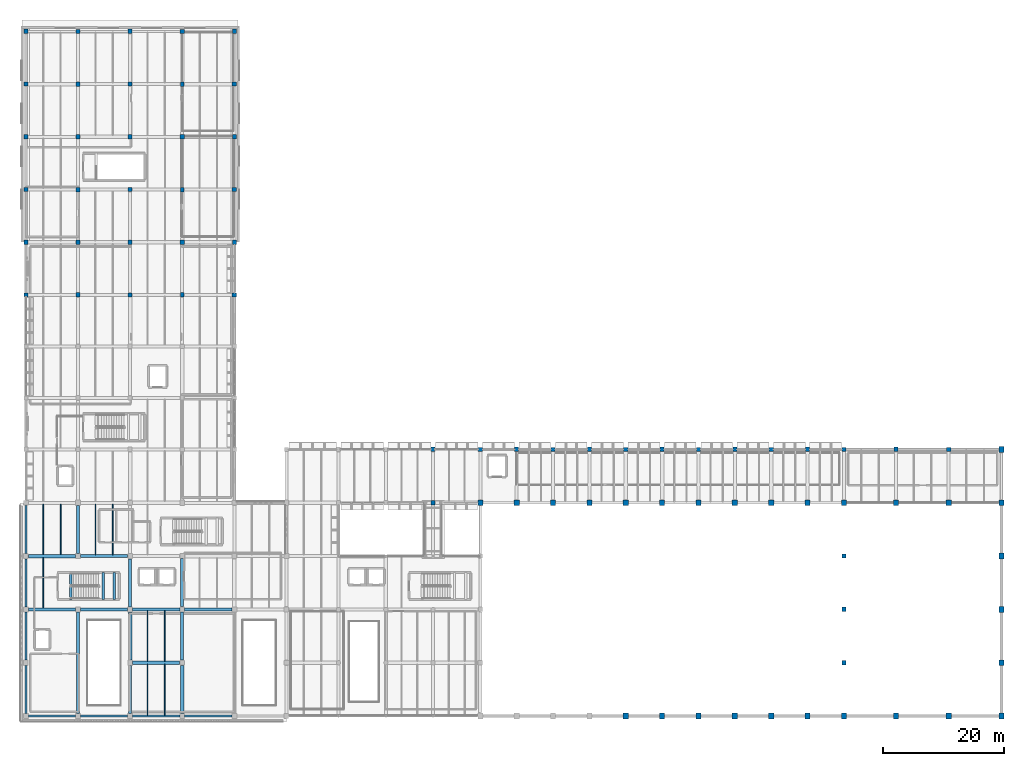
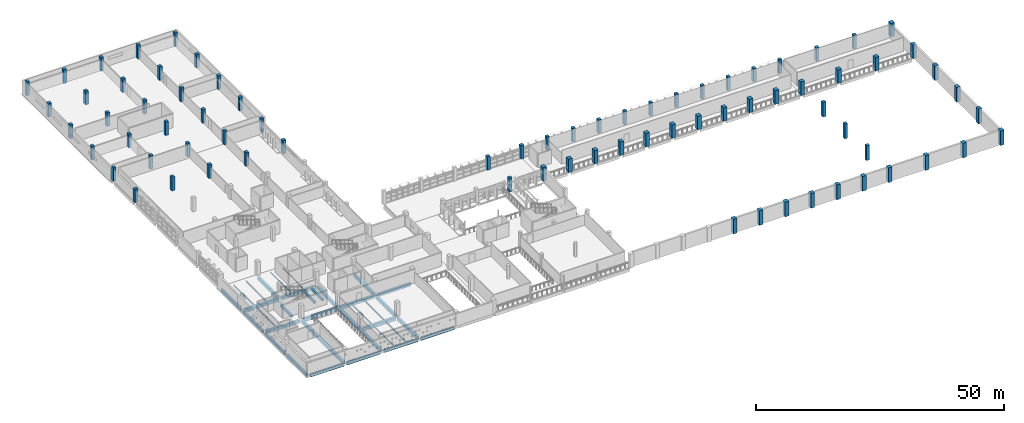
# One storey, part 7 of 75: 76 columns, 35 beams.
"""IFC4 building model written with IfcOpenShell, lengths in metres."""

from ifc_helpers import new_model, si_unit, direction, frame, origin, origin_2d, place, context, subcontext, project, spatial, rectangle, i_section, extrude, material, material_profile, profile_set, type_object, element, save


model = new_model("IFC4")

# Units and contexts
model_context = context("Model", 3, precision=1e-05, world=origin(), true_north=direction((0.0, 1.0)))
body_context = subcontext(model_context, "Body", "Model", "MODEL_VIEW")
ifc_project = project(units=[si_unit("LENGTHUNIT", "METRE"), si_unit("AREAUNIT", "SQUARE_METRE"), si_unit("VOLUMEUNIT", "CUBIC_METRE"), si_unit("PLANEANGLEUNIT", "RADIAN"), si_unit("MASSUNIT", "GRAM", prefix="KILO")], contexts=[model_context])

# Site, building, storey
site_placement = place(None, origin())
site = spatial("IfcSite", under=ifc_project, at=site_placement, CompositionType="ELEMENT")
building_placement = place(site_placement, origin())
building = spatial("IfcBuilding", under=site, at=building_placement, Name="Varnakota Cinema and Media Centre", CompositionType="ELEMENT")
storey_placement = place(building_placement, frame((0.0, 0.0, 8.39990234375)))
storey = spatial("IfcBuildingStorey", under=building, at=storey_placement, Name="L02", CompositionType="ELEMENT", Elevation=8.39990234375)

# Columns
ifc_material_1 = material(Name="Concrete M40", Category="concrete")
ifc_material_profile_1 = material_profile(ifc_material_1, rectangle(XDim=0.64990234375, YDim=0.75, at=origin_2d()), Name="RC 650x750")
ifc_profile_set_1 = profile_set([ifc_material_profile_1], Name="Concrete M40")
column_type_1 = type_object("IfcColumnType", Name="COL-RC-650x750", PredefinedType="COLUMN", material=ifc_profile_set_1)
for number, where, z_axis, x_axis, name in (
    (1, (0.0, 78.199951171875, 0.0), (0.0, 0.0, 1.0), (1.0, 0.0, 0.0), "L02 column A/10"),
    (2, (0.0, 95.60009765625, 0.0), (0.0, 0.0, 1.0), (1.0, 0.0, 0.0), "L02 column A/12"),
    (3, (0.0, 113.0, 0.0), (0.0, 0.0, 1.0), (1.0, 0.0, 0.0), "L02 column A/14"),
    (4, (8.60009765625, 69.5, 0.0), (0.0, 0.0, 1.0), (1.0, 0.0, 0.0), "L02 column B/9"),
    (5, (8.60009765625, 86.89990234375, 0.0), (0.0, 0.0, 1.0), (1.0, 0.0, 0.0), "L02 column B/11"),
    (6, (8.60009765625, 104.300048828125, 0.0), (0.0, 0.0, 1.0), (1.0, 0.0, 0.0), "L02 column B/13"),
    (7, (17.199951171875, 78.199951171875, 0.0), (0.0, 0.0, 1.0), (1.0, 0.0, 0.0), "L02 column C/10"),
    (8, (17.199951171875, 95.60009765625, 0.0), (0.0, 0.0, 1.0), (1.0, 0.0, 0.0), "L02 column C/12"),
    (9, (17.199951171875, 113.0, 0.0), (0.0, 0.0, 1.0), (1.0, 0.0, 0.0), "L02 column C/14"),
    (10, (25.800048828125, 69.5, 0.0), (0.0, 0.0, 1.0), (1.0, 0.0, 0.0), "L02 column D/9"),
    (11, (25.800048828125, 86.89990234375, 0.0), (0.0, 0.0, 1.0), (1.0, 0.0, 0.0), "L02 column D/11"),
    (12, (25.800048828125, 104.300048828125, 0.0), (0.0, 0.0, 1.0), (1.0, 0.0, 0.0), "L02 column D/13"),
    (13, (34.39990234375, 78.199951171875, 0.0), (0.0, 0.0, 1.0), (1.0, 0.0, 0.0), "L02 column E/10"),
    (14, (34.39990234375, 95.60009765625, 0.0), (0.0, 0.0, 1.0), (1.0, 0.0, 0.0), "L02 column E/12"),
    (15, (34.39990234375, 113.0, 0.0), (0.0, 0.0, 1.0), (1.0, 0.0, 0.0), "L02 column E/14"),
    (16, (67.199951171875, 44.0, 0.0), (0.0, 0.0, 1.0), (1.0, 0.0, 0.0), "L02 column J/6"),
    (17, (81.0, 44.0, 0.0), (0.0, 0.0, 1.0), (1.0, 0.0, 0.0), "L02 column L/6"),
    (18, (93.0, 44.0, 0.0), (0.0, 0.0, 1.0), (1.0, 0.0, 0.0), "L02 column N/6"),
    (19, (105.0, 44.0, 0.0), (0.0, 0.0, 1.0), (1.0, 0.0, 0.0), "L02 column Q/6"),
    (20, (117.0, 44.0, 0.0), (0.0, 0.0, 1.0), (1.0, 0.0, 0.0), "L02 column S/6"),
    (21, (129.0, 44.0, 0.0), (0.0, 0.0, 1.0), (1.0, 0.0, 0.0), "L02 column U/6"),
):
    element("IfcColumn", number, at=place(storey_placement, frame(where, z_axis=z_axis, x_axis=x_axis)), inside=storey, type_object=column_type_1, Name=name, PredefinedType="COLUMN", context=body_context, shape_type="SweptSolid", body=[
        extrude(rectangle(XDim=0.64990234375, YDim=0.75, at=origin_2d()), origin(), (0.0, 0.0, 1.0), 3.340087890625),
    ])
column_1_placement = place(storey_placement, frame((135.0, 17.60009765625, 0.0), z_axis=(0.0, 0.0, 1.0), x_axis=(1.0, 0.0, 0.0)))
element("IfcColumn", 22, at=column_1_placement, inside=storey, type_object=column_type_1, Name="L02 column V/3", PredefinedType="COLUMN", context=body_context, shape_type="SweptSolid", body=[
    extrude(rectangle(XDim=0.64990234375, YDim=0.75, at=origin_2d()), origin(), (0.0, 0.0, 1.0), 3.60009765625),
])
column_2_placement = place(storey_placement, frame((143.60009765625, 44.0, 0.0), z_axis=(0.0, 0.0, 1.0), x_axis=(1.0, 0.0, 0.0)))
element("IfcColumn", 23, at=column_2_placement, inside=storey, type_object=column_type_1, Name="L02 column W/6", PredefinedType="COLUMN", context=body_context, shape_type="SweptSolid", body=[
    extrude(rectangle(XDim=0.64990234375, YDim=0.75, at=origin_2d()), origin(), (0.0, 0.0, 1.0), 3.340087890625),
])
ifc_material_2 = material(Name="Concrete M40", Category="concrete")
ifc_material_profile_2 = material_profile(ifc_material_2, rectangle(XDim=0.699951171875, YDim=0.699951171875, at=origin_2d()), Name="RC 700x700")
ifc_profile_set_2 = profile_set([ifc_material_profile_2], Name="Concrete M40")
column_type_2 = type_object("IfcColumnType", Name="COL-RC-700x700", PredefinedType="COLUMN", material=ifc_profile_set_2)
for number, where, z_axis, x_axis, name in (
    (24, (0.0, 69.5, 0.0), (0.0, 0.0, 1.0), (1.0, 0.0, 0.0), "L02 column A/9"),
    (25, (0.0, 86.89990234375, 0.0), (0.0, 0.0, 1.0), (1.0, 0.0, 0.0), "L02 column A/11"),
    (26, (0.0, 104.300048828125, 0.0), (0.0, 0.0, 1.0), (1.0, 0.0, 0.0), "L02 column A/13"),
    (27, (8.60009765625, 78.199951171875, 0.0), (0.0, 0.0, 1.0), (1.0, 0.0, 0.0), "L02 column B/10"),
    (28, (8.60009765625, 95.60009765625, 0.0), (0.0, 0.0, 1.0), (1.0, 0.0, 0.0), "L02 column B/12"),
    (29, (8.60009765625, 113.0, 0.0), (0.0, 0.0, 1.0), (1.0, 0.0, 0.0), "L02 column B/14"),
    (30, (17.199951171875, 69.5, 0.0), (0.0, 0.0, 1.0), (1.0, 0.0, 0.0), "L02 column C/9"),
    (31, (17.199951171875, 86.89990234375, 0.0), (0.0, 0.0, 1.0), (1.0, 0.0, 0.0), "L02 column C/11"),
    (32, (17.199951171875, 104.300048828125, 0.0), (0.0, 0.0, 1.0), (1.0, 0.0, 0.0), "L02 column C/13"),
    (33, (25.800048828125, 78.199951171875, 0.0), (0.0, 0.0, 1.0), (1.0, 0.0, 0.0), "L02 column D/10"),
    (34, (25.800048828125, 95.60009765625, 0.0), (0.0, 0.0, 1.0), (1.0, 0.0, 0.0), "L02 column D/12"),
    (35, (25.800048828125, 113.0, 0.0), (0.0, 0.0, 1.0), (1.0, 0.0, 0.0), "L02 column D/14"),
    (36, (34.39990234375, 69.5, 0.0), (0.0, 0.0, 1.0), (1.0, 0.0, 0.0), "L02 column E/9"),
    (37, (34.39990234375, 86.89990234375, 0.0), (0.0, 0.0, 1.0), (1.0, 0.0, 0.0), "L02 column E/11"),
    (38, (34.39990234375, 104.300048828125, 0.0), (0.0, 0.0, 1.0), (1.0, 0.0, 0.0), "L02 column E/13"),
    (39, (67.199951171875, 35.199951171875, 0.0), (0.0, 0.0, 1.0), (1.0, 0.0, 0.0), "L02 column J/5"),
    (40, (75.0, 44.0, 0.0), (0.0, 0.0, 1.0), (1.0, 0.0, 0.0), "L02 column K/6"),
    (41, (87.0, 44.0, 0.0), (0.0, 0.0, 1.0), (1.0, 0.0, 0.0), "L02 column M/6"),
    (42, (99.0, 44.0, 0.0), (0.0, 0.0, 1.0), (1.0, 0.0, 0.0), "L02 column P/6"),
    (43, (111.0, 44.0, 0.0), (0.0, 0.0, 1.0), (1.0, 0.0, 0.0), "L02 column R/6"),
    (44, (123.0, 44.0, 0.0), (0.0, 0.0, 1.0), (1.0, 0.0, 0.0), "L02 column T/6"),
):
    element("IfcColumn", number, at=place(storey_placement, frame(where, z_axis=z_axis, x_axis=x_axis)), inside=storey, type_object=column_type_2, Name=name, PredefinedType="COLUMN", context=body_context, shape_type="SweptSolid", body=[
        extrude(rectangle(XDim=0.699951171875, YDim=0.699951171875, at=origin_2d()), origin(), (0.0, 0.0, 1.0), 3.340087890625),
    ])
for number, where, z_axis, x_axis, name in (
    (45, (135.0, 8.800048828125, 0.0), (0.0, 0.0, 1.0), (1.0, 0.0, 0.0), "L02 column V/2"),
    (46, (135.0, 26.39990234375, 0.0), (0.0, 0.0, 1.0), (1.0, 0.0, 0.0), "L02 column V/4"),
):
    element("IfcColumn", number, at=place(storey_placement, frame(where, z_axis=z_axis, x_axis=x_axis)), inside=storey, type_object=column_type_2, Name=name, PredefinedType="COLUMN", context=body_context, shape_type="SweptSolid", body=[
        extrude(rectangle(XDim=0.699951171875, YDim=0.699951171875, at=origin_2d()), origin(), (0.0, 0.0, 1.0), 3.60009765625),
    ])
for number, where, z_axis, x_axis, name in (
    (47, (135.0, 44.0, 0.0), (0.0, 0.0, 1.0), (1.0, 0.0, 0.0), "L02 column V/6"),
    (48, (152.300048828125, 44.0, 0.0), (0.0, 0.0, 1.0), (1.0, 0.0, 0.0), "L02 column X/6"),
):
    element("IfcColumn", number, at=place(storey_placement, frame(where, z_axis=z_axis, x_axis=x_axis)), inside=storey, type_object=column_type_2, Name=name, PredefinedType="COLUMN", context=body_context, shape_type="SweptSolid", body=[
        extrude(rectangle(XDim=0.699951171875, YDim=0.699951171875, at=origin_2d()), origin(), (0.0, 0.0, 1.0), 3.340087890625),
    ])
ifc_material_3 = material(Name="Concrete M50", Category="concrete")
ifc_material_profile_3 = material_profile(ifc_material_3, rectangle(XDim=0.85009765625, YDim=0.949951171875, at=origin_2d()), Name="RC 850x950")
ifc_profile_set_3 = profile_set([ifc_material_profile_3], Name="Concrete M50")
column_type_3 = type_object("IfcColumnType", Name="COL-RC-850x950", PredefinedType="COLUMN", material=ifc_profile_set_3)
for number, where, z_axis, x_axis, name in (
    (49, (75.0, 35.199951171875, 0.0), (0.0, 0.0, 1.0), (1.0, 0.0, 0.0), "L02 column K/5"),
    (50, (81.0, 35.199951171875, 0.0), (0.0, 0.0, 1.0), (1.0, 0.0, 0.0), "L02 column L/5"),
    (51, (87.0, 35.199951171875, 0.0), (0.0, 0.0, 1.0), (1.0, 0.0, 0.0), "L02 column M/5"),
    (52, (93.0, 35.199951171875, 0.0), (0.0, 0.0, 1.0), (1.0, 0.0, 0.0), "L02 column N/5"),
):
    element("IfcColumn", number, at=place(storey_placement, frame(where, z_axis=z_axis, x_axis=x_axis)), inside=storey, type_object=column_type_3, Name=name, PredefinedType="COLUMN", context=body_context, shape_type="SweptSolid", body=[
        extrude(rectangle(XDim=0.85009765625, YDim=0.949951171875, at=origin_2d()), origin(), (0.0, 0.0, 1.0), 3.340087890625),
    ])
column_3_placement = place(storey_placement, frame((99.0, 0.0, 0.0), z_axis=(0.0, 0.0, 1.0), x_axis=(1.0, 0.0, 0.0)))
element("IfcColumn", 53, at=column_3_placement, inside=storey, type_object=column_type_3, Name="L02 column P/1", PredefinedType="COLUMN", context=body_context, shape_type="SweptSolid", body=[
    extrude(rectangle(XDim=0.85009765625, YDim=0.949951171875, at=origin_2d()), origin(), (0.0, 0.0, 1.0), 3.60009765625),
])
column_4_placement = place(storey_placement, frame((99.0, 35.199951171875, 0.0), z_axis=(0.0, 0.0, 1.0), x_axis=(1.0, 0.0, 0.0)))
element("IfcColumn", 54, at=column_4_placement, inside=storey, type_object=column_type_3, Name="L02 column P/5", PredefinedType="COLUMN", context=body_context, shape_type="SweptSolid", body=[
    extrude(rectangle(XDim=0.85009765625, YDim=0.949951171875, at=origin_2d()), origin(), (0.0, 0.0, 1.0), 3.340087890625),
])
column_5_placement = place(storey_placement, frame((105.0, 0.0, 0.0), z_axis=(0.0, 0.0, 1.0), x_axis=(1.0, 0.0, 0.0)))
element("IfcColumn", 55, at=column_5_placement, inside=storey, type_object=column_type_3, Name="L02 column Q/1", PredefinedType="COLUMN", context=body_context, shape_type="SweptSolid", body=[
    extrude(rectangle(XDim=0.85009765625, YDim=0.949951171875, at=origin_2d()), origin(), (0.0, 0.0, 1.0), 3.60009765625),
])
column_6_placement = place(storey_placement, frame((105.0, 35.199951171875, 0.0), z_axis=(0.0, 0.0, 1.0), x_axis=(1.0, 0.0, 0.0)))
element("IfcColumn", 56, at=column_6_placement, inside=storey, type_object=column_type_3, Name="L02 column Q/5", PredefinedType="COLUMN", context=body_context, shape_type="SweptSolid", body=[
    extrude(rectangle(XDim=0.85009765625, YDim=0.949951171875, at=origin_2d()), origin(), (0.0, 0.0, 1.0), 3.340087890625),
])
column_7_placement = place(storey_placement, frame((111.0, 0.0, 0.0), z_axis=(0.0, 0.0, 1.0), x_axis=(1.0, 0.0, 0.0)))
element("IfcColumn", 57, at=column_7_placement, inside=storey, type_object=column_type_3, Name="L02 column R/1", PredefinedType="COLUMN", context=body_context, shape_type="SweptSolid", body=[
    extrude(rectangle(XDim=0.85009765625, YDim=0.949951171875, at=origin_2d()), origin(), (0.0, 0.0, 1.0), 3.60009765625),
])
column_8_placement = place(storey_placement, frame((111.0, 35.199951171875, 0.0), z_axis=(0.0, 0.0, 1.0), x_axis=(1.0, 0.0, 0.0)))
element("IfcColumn", 58, at=column_8_placement, inside=storey, type_object=column_type_3, Name="L02 column R/5", PredefinedType="COLUMN", context=body_context, shape_type="SweptSolid", body=[
    extrude(rectangle(XDim=0.85009765625, YDim=0.949951171875, at=origin_2d()), origin(), (0.0, 0.0, 1.0), 3.340087890625),
])
column_9_placement = place(storey_placement, frame((117.0, 0.0, 0.0), z_axis=(0.0, 0.0, 1.0), x_axis=(1.0, 0.0, 0.0)))
element("IfcColumn", 59, at=column_9_placement, inside=storey, type_object=column_type_3, Name="L02 column S/1", PredefinedType="COLUMN", context=body_context, shape_type="SweptSolid", body=[
    extrude(rectangle(XDim=0.85009765625, YDim=0.949951171875, at=origin_2d()), origin(), (0.0, 0.0, 1.0), 3.60009765625),
])
column_10_placement = place(storey_placement, frame((117.0, 35.199951171875, 0.0), z_axis=(0.0, 0.0, 1.0), x_axis=(1.0, 0.0, 0.0)))
element("IfcColumn", 60, at=column_10_placement, inside=storey, type_object=column_type_3, Name="L02 column S/5", PredefinedType="COLUMN", context=body_context, shape_type="SweptSolid", body=[
    extrude(rectangle(XDim=0.85009765625, YDim=0.949951171875, at=origin_2d()), origin(), (0.0, 0.0, 1.0), 3.340087890625),
])
column_11_placement = place(storey_placement, frame((123.0, 0.0, 0.0), z_axis=(0.0, 0.0, 1.0), x_axis=(1.0, 0.0, 0.0)))
element("IfcColumn", 61, at=column_11_placement, inside=storey, type_object=column_type_3, Name="L02 column T/1", PredefinedType="COLUMN", context=body_context, shape_type="SweptSolid", body=[
    extrude(rectangle(XDim=0.85009765625, YDim=0.949951171875, at=origin_2d()), origin(), (0.0, 0.0, 1.0), 3.60009765625),
])
column_12_placement = place(storey_placement, frame((123.0, 35.199951171875, 0.0), z_axis=(0.0, 0.0, 1.0), x_axis=(1.0, 0.0, 0.0)))
element("IfcColumn", 62, at=column_12_placement, inside=storey, type_object=column_type_3, Name="L02 column T/5", PredefinedType="COLUMN", context=body_context, shape_type="SweptSolid", body=[
    extrude(rectangle(XDim=0.85009765625, YDim=0.949951171875, at=origin_2d()), origin(), (0.0, 0.0, 1.0), 3.340087890625),
])
column_13_placement = place(storey_placement, frame((129.0, 0.0, 0.0), z_axis=(0.0, 0.0, 1.0), x_axis=(1.0, 0.0, 0.0)))
element("IfcColumn", 63, at=column_13_placement, inside=storey, type_object=column_type_3, Name="L02 column U/1", PredefinedType="COLUMN", context=body_context, shape_type="SweptSolid", body=[
    extrude(rectangle(XDim=0.85009765625, YDim=0.949951171875, at=origin_2d()), origin(), (0.0, 0.0, 1.0), 3.60009765625),
])
column_14_placement = place(storey_placement, frame((129.0, 35.199951171875, 0.0), z_axis=(0.0, 0.0, 1.0), x_axis=(1.0, 0.0, 0.0)))
element("IfcColumn", 64, at=column_14_placement, inside=storey, type_object=column_type_3, Name="L02 column U/5", PredefinedType="COLUMN", context=body_context, shape_type="SweptSolid", body=[
    extrude(rectangle(XDim=0.85009765625, YDim=0.949951171875, at=origin_2d()), origin(), (0.0, 0.0, 1.0), 3.340087890625),
])
column_15_placement = place(storey_placement, frame((135.0, 0.0, 0.0), z_axis=(0.0, 0.0, 1.0), x_axis=(1.0, 0.0, 0.0)))
element("IfcColumn", 65, at=column_15_placement, inside=storey, type_object=column_type_3, Name="L02 column V/1", PredefinedType="COLUMN", context=body_context, shape_type="SweptSolid", body=[
    extrude(rectangle(XDim=0.85009765625, YDim=0.949951171875, at=origin_2d()), origin(), (0.0, 0.0, 1.0), 3.60009765625),
])
column_16_placement = place(storey_placement, frame((135.0, 35.199951171875, 0.0), z_axis=(0.0, 0.0, 1.0), x_axis=(1.0, 0.0, 0.0)))
element("IfcColumn", 66, at=column_16_placement, inside=storey, type_object=column_type_3, Name="L02 column V/5", PredefinedType="COLUMN", context=body_context, shape_type="SweptSolid", body=[
    extrude(rectangle(XDim=0.85009765625, YDim=0.949951171875, at=origin_2d()), origin(), (0.0, 0.0, 1.0), 3.340087890625),
])
column_17_placement = place(storey_placement, frame((143.60009765625, 0.0, 0.0), z_axis=(0.0, 0.0, 1.0), x_axis=(1.0, 0.0, 0.0)))
element("IfcColumn", 67, at=column_17_placement, inside=storey, type_object=column_type_3, Name="L02 column W/1", PredefinedType="COLUMN", context=body_context, shape_type="SweptSolid", body=[
    extrude(rectangle(XDim=0.85009765625, YDim=0.949951171875, at=origin_2d()), origin(), (0.0, 0.0, 1.0), 3.60009765625),
])
column_18_placement = place(storey_placement, frame((143.60009765625, 35.199951171875, 0.0), z_axis=(0.0, 0.0, 1.0), x_axis=(1.0, 0.0, 0.0)))
element("IfcColumn", 68, at=column_18_placement, inside=storey, type_object=column_type_3, Name="L02 column W/5", PredefinedType="COLUMN", context=body_context, shape_type="SweptSolid", body=[
    extrude(rectangle(XDim=0.85009765625, YDim=0.949951171875, at=origin_2d()), origin(), (0.0, 0.0, 1.0), 3.340087890625),
])
column_19_placement = place(storey_placement, frame((152.300048828125, 0.0, 0.0), z_axis=(0.0, 0.0, 1.0), x_axis=(1.0, 0.0, 0.0)))
element("IfcColumn", 69, at=column_19_placement, inside=storey, type_object=column_type_3, Name="L02 column X/1", PredefinedType="COLUMN", context=body_context, shape_type="SweptSolid", body=[
    extrude(rectangle(XDim=0.85009765625, YDim=0.949951171875, at=origin_2d()), origin(), (0.0, 0.0, 1.0), 3.60009765625),
])
column_20_placement = place(storey_placement, frame((152.300048828125, 35.199951171875, 0.0), z_axis=(0.0, 0.0, 1.0), x_axis=(1.0, 0.0, 0.0)))
element("IfcColumn", 70, at=column_20_placement, inside=storey, type_object=column_type_3, Name="L02 column X/5", PredefinedType="COLUMN", context=body_context, shape_type="SweptSolid", body=[
    extrude(rectangle(XDim=0.85009765625, YDim=0.949951171875, at=origin_2d()), origin(), (0.0, 0.0, 1.0), 3.340087890625),
])
for number, where, z_axis, x_axis, name in (
    (71, (161.0, 0.0, 0.0), (0.0, 0.0, 1.0), (1.0, 0.0, 0.0), "L02 column Y/1"),
    (72, (161.0, 8.800048828125, 0.0), (0.0, 0.0, 1.0), (1.0, 0.0, 0.0), "L02 column Y/2"),
    (73, (161.0, 17.60009765625, 0.0), (0.0, 0.0, 1.0), (1.0, 0.0, 0.0), "L02 column Y/3"),
    (74, (161.0, 26.39990234375, 0.0), (0.0, 0.0, 1.0), (1.0, 0.0, 0.0), "L02 column Y/4"),
):
    element("IfcColumn", number, at=place(storey_placement, frame(where, z_axis=z_axis, x_axis=x_axis)), inside=storey, type_object=column_type_3, Name=name, PredefinedType="COLUMN", context=body_context, shape_type="SweptSolid", body=[
        extrude(rectangle(XDim=0.85009765625, YDim=0.949951171875, at=origin_2d()), origin(), (0.0, 0.0, 1.0), 3.60009765625),
    ])
for number, where, z_axis, x_axis, name in (
    (75, (161.0, 35.199951171875, 0.0), (0.0, 0.0, 1.0), (1.0, 0.0, 0.0), "L02 column Y/5"),
    (76, (161.0, 44.0, 0.0), (0.0, 0.0, 1.0), (1.0, 0.0, 0.0), "L02 column Y/6"),
):
    element("IfcColumn", number, at=place(storey_placement, frame(where, z_axis=z_axis, x_axis=x_axis)), inside=storey, type_object=column_type_3, Name=name, PredefinedType="COLUMN", context=body_context, shape_type="SweptSolid", body=[
        extrude(rectangle(XDim=0.85009765625, YDim=0.949951171875, at=origin_2d()), origin(), (0.0, 0.0, 1.0), 3.340087890625),
    ])

# Beams
ifc_material_4 = material(Name="Concrete M35", Category="concrete")
ifc_material_profile_4 = material_profile(ifc_material_4, rectangle(XDim=0.39990234375, YDim=0.550048828125, at=origin_2d()), Name="RCB 400x550")
ifc_profile_set_4 = profile_set([ifc_material_profile_4], Name="Concrete M35")
beam_type_1 = type_object("IfcBeamType", Name="BM-RC-400x550", PredefinedType="BEAM", material=ifc_profile_set_4)
for number, where, z_axis, x_axis, name in (
    (77, (12.7373046875, 19.25, 1.3251953125), (0.0, 1.0, 0.0), (-1.0, 0.0, 0.0), "L02 ST-01 landing support beam 1"),
    (78, (14.562744140625, 19.25, 1.3251953125), (0.0, 1.0, 0.0), (-1.0, 0.0, 0.0), "L02 ST-01 landing support beam 2"),
):
    element("IfcBeam", number, at=place(storey_placement, frame(where, z_axis=z_axis, x_axis=x_axis)), inside=storey, type_object=beam_type_1, Name=name, PredefinedType="BEAM", context=body_context, shape_type="SweptSolid", body=[
        extrude(rectangle(XDim=0.39990234375, YDim=0.550048828125, at=origin_2d()), origin(), (0.0, 0.0, 1.0), 4.449951171875),
    ])
ifc_material_5 = material(Name="Concrete M40", Category="concrete")
ifc_material_profile_5 = material_profile(ifc_material_5, rectangle(XDim=0.449951171875, YDim=0.550048828125, at=origin_2d()), Name="RCB 450x550")
ifc_profile_set_5 = profile_set([ifc_material_profile_5], Name="Concrete M40")
beam_type_2 = type_object("IfcBeamType", Name="BM-RC-450x550", PredefinedType="BEAM", material=ifc_profile_set_5)
beam_1_placement = place(storey_placement, frame((7.419921875, 19.25, -0.27490234375), z_axis=(0.0, 1.0, 0.0), x_axis=(-1.0, 0.0, 0.0)))
element("IfcBeam", 79, at=beam_1_placement, inside=storey, type_object=beam_type_2, Name="L02 ST-01 stair arrival trimmer beam", PredefinedType="BEAM", context=body_context, shape_type="SweptSolid", body=[
    extrude(rectangle(XDim=0.449951171875, YDim=0.550048828125, at=origin_2d()), origin(), (0.0, 0.0, 1.0), 4.449951171875),
])
ifc_material_6 = material(Name="Concrete M35", Category="concrete")
ifc_material_profile_6 = material_profile(ifc_material_6, rectangle(XDim=0.5, YDim=0.699951171875, at=origin_2d()), Name="RCB 500x700")
ifc_profile_set_6 = profile_set([ifc_material_profile_6], Name="Concrete M35")
beam_type_3 = type_object("IfcBeamType", Name="BM-RC-500x700", PredefinedType="BEAM", material=ifc_profile_set_6)
beam_2_placement = place(storey_placement, frame((0.425048828125, 17.60009765625, -0.599853515625), z_axis=(1.0, 0.0, 0.0), x_axis=(0.0, 1.0, 0.0)))
element("IfcBeam", 80, at=beam_2_placement, inside=storey, type_object=beam_type_3, Name="L02 girder A-B/3", PredefinedType="BEAM", context=body_context, shape_type="SweptSolid", body=[
    extrude(rectangle(XDim=0.5, YDim=0.699951171875, at=origin_2d()), origin(), (0.0, 0.0, 1.0), 7.77490234375),
])
beam_3_placement = place(storey_placement, frame((26.199951171875, 17.60009765625, -0.599853515625), z_axis=(1.0, 0.0, 0.0), x_axis=(0.0, 1.0, 0.0)))
element("IfcBeam", 81, at=beam_3_placement, inside=storey, type_object=beam_type_3, Name="L02 girder D-E/3", PredefinedType="BEAM", context=body_context, shape_type="SweptSolid", body=[
    extrude(rectangle(XDim=0.5, YDim=0.699951171875, at=origin_2d()), origin(), (0.0, 0.0, 1.0), 7.775146484375),
])
for number, where, z_axis, x_axis, name in (
    (82, (17.199951171875, 0.425048828125, -0.599853515625), (0.0, 1.0, 0.0), (-1.0, 0.0, 0.0), "L02 girder C/1-2"),
    (83, (25.800048828125, 18.050048828125, -0.599853515625), (0.0, 1.0, 0.0), (-1.0, 0.0, 0.0), "L02 girder D/3-4"),
):
    element("IfcBeam", number, at=place(storey_placement, frame(where, z_axis=z_axis, x_axis=x_axis)), inside=storey, type_object=beam_type_3, Name=name, PredefinedType="BEAM", context=body_context, shape_type="SweptSolid", body=[
        extrude(rectangle(XDim=0.5, YDim=0.699951171875, at=origin_2d()), origin(), (0.0, 0.0, 1.0), 7.925048828125),
    ])
ifc_material_7 = material(Name="Concrete M35", Category="concrete")
ifc_material_profile_7 = material_profile(ifc_material_7, rectangle(XDim=0.5, YDim=0.75, at=origin_2d()), Name="RCB 500x750")
ifc_profile_set_7 = profile_set([ifc_material_profile_7], Name="Concrete M35")
beam_type_4 = type_object("IfcBeamType", Name="BM-RC-500x750", PredefinedType="BEAM", material=ifc_profile_set_7)
beam_4_placement = place(storey_placement, frame((17.625, 17.60009765625, -0.625), z_axis=(1.0, 0.0, 0.0), x_axis=(0.0, 1.0, 0.0)))
element("IfcBeam", 84, at=beam_4_placement, inside=storey, type_object=beam_type_4, Name="L02 girder C-D/3", PredefinedType="BEAM", context=body_context, shape_type="SweptSolid", body=[
    extrude(rectangle(XDim=0.5, YDim=0.75, at=origin_2d()), origin(), (0.0, 0.0, 1.0), 7.77490234375),
])
beam_5_placement = place(storey_placement, frame((9.02490234375, 26.39990234375, -0.625), z_axis=(1.0, 0.0, 0.0), x_axis=(0.0, 1.0, 0.0)))
element("IfcBeam", 85, at=beam_5_placement, inside=storey, type_object=beam_type_4, Name="L02 girder B-C/4", PredefinedType="BEAM", context=body_context, shape_type="SweptSolid", body=[
    extrude(rectangle(XDim=0.5, YDim=0.75, at=origin_2d()), origin(), (0.0, 0.0, 1.0), 7.775146484375),
])
beam_6_placement = place(storey_placement, frame((8.60009765625, 0.449951171875, -0.625), z_axis=(0.0, 1.0, 0.0), x_axis=(-1.0, 0.0, 0.0)))
element("IfcBeam", 86, at=beam_6_placement, inside=storey, type_object=beam_type_4, Name="L02 girder B/1-3", PredefinedType="BEAM", context=body_context, shape_type="SweptSolid", body=[
    extrude(rectangle(XDim=0.5, YDim=0.75, at=origin_2d()), origin(), (0.0, 0.0, 1.0), 16.699951171875),
])
for number, where, z_axis, x_axis, name in (
    (87, (8.60009765625, 26.824951171875, -0.625), (0.0, 1.0, 0.0), (-1.0, 0.0, 0.0), "L02 girder B/4-5"),
    (88, (17.199951171875, 18.02490234375, -0.625), (0.0, 1.0, 0.0), (-1.0, 0.0, 0.0), "L02 girder C/3-4"),
):
    element("IfcBeam", number, at=place(storey_placement, frame(where, z_axis=z_axis, x_axis=x_axis)), inside=storey, type_object=beam_type_4, Name=name, PredefinedType="BEAM", context=body_context, shape_type="SweptSolid", body=[
        extrude(rectangle(XDim=0.5, YDim=0.75, at=origin_2d()), origin(), (0.0, 0.0, 1.0), 7.925048828125),
    ])
beam_7_placement = place(storey_placement, frame((25.800048828125, 9.22509765625, -0.625), z_axis=(0.0, 1.0, 0.0), x_axis=(-1.0, 0.0, 0.0)))
element("IfcBeam", 89, at=beam_7_placement, inside=storey, type_object=beam_type_4, Name="L02 girder D/2-3", PredefinedType="BEAM", context=body_context, shape_type="SweptSolid", body=[
    extrude(rectangle(XDim=0.5, YDim=0.75, at=origin_2d()), origin(), (0.0, 0.0, 1.0), 7.9248046875),
])
ifc_material_8 = material(Name="Concrete M35", Category="concrete")
ifc_material_profile_8 = material_profile(ifc_material_8, rectangle(XDim=0.550048828125, YDim=0.800048828125, at=origin_2d()), Name="RCB 550x800")
ifc_profile_set_8 = profile_set([ifc_material_profile_8], Name="Concrete M35")
beam_type_5 = type_object("IfcBeamType", Name="BM-RC-550x800", PredefinedType="BEAM", material=ifc_profile_set_8)
for number, where, z_axis, x_axis, name in (
    (90, (17.60009765625, 8.800048828125, -0.64990234375), (1.0, 0.0, 0.0), (0.0, 1.0, 0.0), "L02 girder C-D/2"),
    (91, (9.0, 17.60009765625, -0.64990234375), (1.0, 0.0, 0.0), (0.0, 1.0, 0.0), "L02 girder B-C/3"),
):
    element("IfcBeam", number, at=place(storey_placement, frame(where, z_axis=z_axis, x_axis=x_axis)), inside=storey, type_object=beam_type_5, Name=name, PredefinedType="BEAM", context=body_context, shape_type="SweptSolid", body=[
        extrude(rectangle(XDim=0.550048828125, YDim=0.800048828125, at=origin_2d()), origin(), (0.0, 0.0, 1.0), 7.77490234375),
    ])
beam_8_placement = place(storey_placement, frame((0.39990234375, 26.39990234375, -0.64990234375), z_axis=(1.0, 0.0, 0.0), x_axis=(0.0, 1.0, 0.0)))
element("IfcBeam", 92, at=beam_8_placement, inside=storey, type_object=beam_type_5, Name="L02 girder A-B/4", PredefinedType="BEAM", context=body_context, shape_type="SweptSolid", body=[
    extrude(rectangle(XDim=0.550048828125, YDim=0.800048828125, at=origin_2d()), origin(), (0.0, 0.0, 1.0), 7.775146484375),
])
for number, where, z_axis, x_axis, name in (
    (93, (17.199951171875, 9.25, -0.64990234375), (0.0, 1.0, 0.0), (-1.0, 0.0, 0.0), "L02 girder C/2-3"),
    (94, (25.800048828125, 0.449951171875, -0.64990234375), (0.0, 1.0, 0.0), (-1.0, 0.0, 0.0), "L02 girder D/1-2"),
):
    element("IfcBeam", number, at=place(storey_placement, frame(where, z_axis=z_axis, x_axis=x_axis)), inside=storey, type_object=beam_type_5, Name=name, PredefinedType="BEAM", context=body_context, shape_type="SweptSolid", body=[
        extrude(rectangle(XDim=0.550048828125, YDim=0.800048828125, at=origin_2d()), origin(), (0.0, 0.0, 1.0), 7.925048828125),
    ])
ifc_material_9 = material(Name="Concrete M40", Category="concrete")
ifc_material_profile_9 = material_profile(ifc_material_9, rectangle(XDim=0.35009765625, YDim=0.75, at=origin_2d()), Name="RCB 350x750")
ifc_profile_set_9 = profile_set([ifc_material_profile_9], Name="Concrete M40")
beam_type_6 = type_object("IfcBeamType", Name="BM-SP-350x750", PredefinedType="SPANDREL", material=ifc_profile_set_9)
for number, where, z_axis, x_axis, name in (
    (95, (0.425048828125, 0.0, -0.625), (1.0, 0.0, 0.0), (0.0, 1.0, 0.0), "L02 girder A-B/1"),
    (96, (9.0, 0.0, -0.625), (1.0, 0.0, 0.0), (0.0, 1.0, 0.0), "L02 girder B-C/1"),
    (97, (17.625, 0.0, -0.625), (1.0, 0.0, 0.0), (0.0, 1.0, 0.0), "L02 girder C-D/1"),
):
    element("IfcBeam", number, at=place(storey_placement, frame(where, z_axis=z_axis, x_axis=x_axis)), inside=storey, type_object=beam_type_6, Name=name, PredefinedType="SPANDREL", context=body_context, shape_type="SweptSolid", body=[
        extrude(rectangle(XDim=0.35009765625, YDim=0.75, at=origin_2d()), origin(), (0.0, 0.0, 1.0), 7.77490234375),
    ])
beam_9_placement = place(storey_placement, frame((26.199951171875, 0.0, -0.625), z_axis=(1.0, 0.0, 0.0), x_axis=(0.0, 1.0, 0.0)))
element("IfcBeam", 98, at=beam_9_placement, inside=storey, type_object=beam_type_6, Name="L02 girder D-E/1", PredefinedType="SPANDREL", context=body_context, shape_type="SweptSolid", body=[
    extrude(rectangle(XDim=0.35009765625, YDim=0.75, at=origin_2d()), origin(), (0.0, 0.0, 1.0), 7.775146484375),
])
for number, where, z_axis, x_axis, name in (
    (99, (0.0, 0.425048828125, -0.625), (0.0, 1.0, 0.0), (-1.0, 0.0, 0.0), "L02 girder A/1-2"),
    (100, (0.0, 9.25, -0.625), (0.0, 1.0, 0.0), (-1.0, 0.0, 0.0), "L02 girder A/2-3"),
    (101, (0.0, 18.02490234375, -0.625), (0.0, 1.0, 0.0), (-1.0, 0.0, 0.0), "L02 girder A/3-4"),
):
    element("IfcBeam", number, at=place(storey_placement, frame(where, z_axis=z_axis, x_axis=x_axis)), inside=storey, type_object=beam_type_6, Name=name, PredefinedType="SPANDREL", context=body_context, shape_type="SweptSolid", body=[
        extrude(rectangle(XDim=0.35009765625, YDim=0.75, at=origin_2d()), origin(), (0.0, 0.0, 1.0), 7.925048828125),
    ])
beam_10_placement = place(storey_placement, frame((0.0, 26.85009765625, -0.625), z_axis=(0.0, 1.0, 0.0), x_axis=(-1.0, 0.0, 0.0)))
element("IfcBeam", 102, at=beam_10_placement, inside=storey, type_object=beam_type_6, Name="L02 girder A/4-5", PredefinedType="SPANDREL", context=body_context, shape_type="SweptSolid", body=[
    extrude(rectangle(XDim=0.35009765625, YDim=0.75, at=origin_2d()), origin(), (0.0, 0.0, 1.0), 7.9248046875),
])
ifc_material_10 = material(Name="Structural steel Grade 350 (E350)", Category="steel")
ifc_material_profile_10 = material_profile(ifc_material_10, i_section(OverallWidth=0.10009765625, OverallDepth=0.199951171875, WebThickness=0.005615234375, FlangeThickness=0.0107421875, FilletRadius=0.010986328125, at=origin_2d()), Name="ISMB 200")
ifc_profile_set_10 = profile_set([ifc_material_profile_10], Name="Structural steel Grade 350 (E350)")
beam_type_7 = type_object("IfcBeamType", Name="BM-ST-ISMB200", PredefinedType="JOIST", material=ifc_profile_set_10)
for number, where, z_axis, x_axis, name in (
    (103, (11.466796875, 26.64990234375, -0.349853515625), (0.0, 1.0, 0.0), (-1.0, 0.0, 0.0), "L02 steel joist B-C/4-5 #1"),
    (104, (14.333251953125, 26.64990234375, -0.349853515625), (0.0, 1.0, 0.0), (-1.0, 0.0, 0.0), "L02 steel joist B-C/4-5 #2"),
):
    element("IfcBeam", number, at=place(storey_placement, frame(where, z_axis=z_axis, x_axis=x_axis)), inside=storey, type_object=beam_type_7, Name=name, PredefinedType="JOIST", context=body_context, shape_type="SweptSolid", body=[
        extrude(i_section(OverallWidth=0.10009765625, OverallDepth=0.199951171875, WebThickness=0.005615234375, FlangeThickness=0.0107421875, FilletRadius=0.010986328125, at=origin_2d()), origin(), (0.0, 0.0, 1.0), 8.300048828125),
    ])
ifc_material_11 = material(Name="Structural steel Grade 350 (E350)", Category="steel")
ifc_material_profile_11 = material_profile(ifc_material_11, i_section(OverallWidth=0.139892578125, OverallDepth=0.39990234375, WebThickness=0.0087890625, FlangeThickness=0.01611328125, FilletRadius=0.013916015625, at=origin_2d()), Name="ISMB 400")
ifc_profile_set_11 = profile_set([ifc_material_profile_11], Name="Structural steel Grade 350 (E350)")
beam_type_8 = type_object("IfcBeamType", Name="BM-ST-ISMB400", PredefinedType="JOIST", material=ifc_profile_set_11)
beam_11_placement = place(storey_placement, frame((2.86669921875, 17.85009765625, -0.449951171875), z_axis=(0.0, 1.0, 0.0), x_axis=(-1.0, 0.0, 0.0)))
element("IfcBeam", 105, at=beam_11_placement, inside=storey, type_object=beam_type_8, Name="L02 steel joist A-B/3-4 #1", PredefinedType="JOIST", context=body_context, shape_type="SweptSolid", body=[
    extrude(i_section(OverallWidth=0.139892578125, OverallDepth=0.39990234375, WebThickness=0.0087890625, FlangeThickness=0.01611328125, FilletRadius=0.013916015625, at=origin_2d()), origin(), (0.0, 0.0, 1.0), 8.27490234375),
])
for number, where, z_axis, x_axis, name in (
    (106, (20.066650390625, 0.175048828125, -0.449951171875), (0.0, 1.0, 0.0), (-1.0, 0.0, 0.0), "L02 steel joist C-D/1-2 #1"),
    (107, (22.933349609375, 0.175048828125, -0.449951171875), (0.0, 1.0, 0.0), (-1.0, 0.0, 0.0), "L02 steel joist C-D/1-2 #2"),
):
    element("IfcBeam", number, at=place(storey_placement, frame(where, z_axis=z_axis, x_axis=x_axis)), inside=storey, type_object=beam_type_8, Name=name, PredefinedType="JOIST", context=body_context, shape_type="SweptSolid", body=[
        extrude(i_section(OverallWidth=0.139892578125, OverallDepth=0.39990234375, WebThickness=0.0087890625, FlangeThickness=0.01611328125, FilletRadius=0.013916015625, at=origin_2d()), origin(), (0.0, 0.0, 1.0), 8.349853515625),
    ])
ifc_material_12 = material(Name="Structural steel Grade 350 (E350)", Category="steel")
ifc_material_profile_12 = material_profile(ifc_material_12, i_section(OverallWidth=0.14990234375, OverallDepth=0.449951171875, WebThickness=0.009521484375, FlangeThickness=0.017333984375, FilletRadius=0.014892578125, at=origin_2d()), Name="ISMB 450")
ifc_profile_set_12 = profile_set([ifc_material_profile_12], Name="Structural steel Grade 350 (E350)")
beam_type_9 = type_object("IfcBeamType", Name="BM-ST-ISMB450", PredefinedType="BEAM", material=ifc_profile_set_12)
for number, where, z_axis, x_axis, name in (
    (108, (2.86669921875, 26.675048828125, -0.474853515625), (0.0, 1.0, 0.0), (-1.0, 0.0, 0.0), "L02 steel joist A-B/4-5 #1"),
    (109, (5.7333984375, 26.675048828125, -0.474853515625), (0.0, 1.0, 0.0), (-1.0, 0.0, 0.0), "L02 steel joist A-B/4-5 #2"),
):
    element("IfcBeam", number, at=place(storey_placement, frame(where, z_axis=z_axis, x_axis=x_axis)), inside=storey, type_object=beam_type_9, Name=name, PredefinedType="BEAM", context=body_context, shape_type="SweptSolid", body=[
        extrude(i_section(OverallWidth=0.14990234375, OverallDepth=0.449951171875, WebThickness=0.009521484375, FlangeThickness=0.017333984375, FilletRadius=0.014892578125, at=origin_2d()), origin(), (0.0, 0.0, 1.0), 8.27490234375),
    ])
for number, where, z_axis, x_axis, name in (
    (110, (20.066650390625, 9.074951171875, -0.474853515625), (0.0, 1.0, 0.0), (-1.0, 0.0, 0.0), "L02 steel joist C-D/2-3 #1"),
    (111, (22.933349609375, 9.074951171875, -0.474853515625), (0.0, 1.0, 0.0), (-1.0, 0.0, 0.0), "L02 steel joist C-D/2-3 #2"),
):
    element("IfcBeam", number, at=place(storey_placement, frame(where, z_axis=z_axis, x_axis=x_axis)), inside=storey, type_object=beam_type_9, Name=name, PredefinedType="BEAM", context=body_context, shape_type="SweptSolid", body=[
        extrude(i_section(OverallWidth=0.14990234375, OverallDepth=0.449951171875, WebThickness=0.009521484375, FlangeThickness=0.017333984375, FilletRadius=0.014892578125, at=origin_2d()), origin(), (0.0, 0.0, 1.0), 8.275146484375),
    ])

save(model, "model.ifc")
